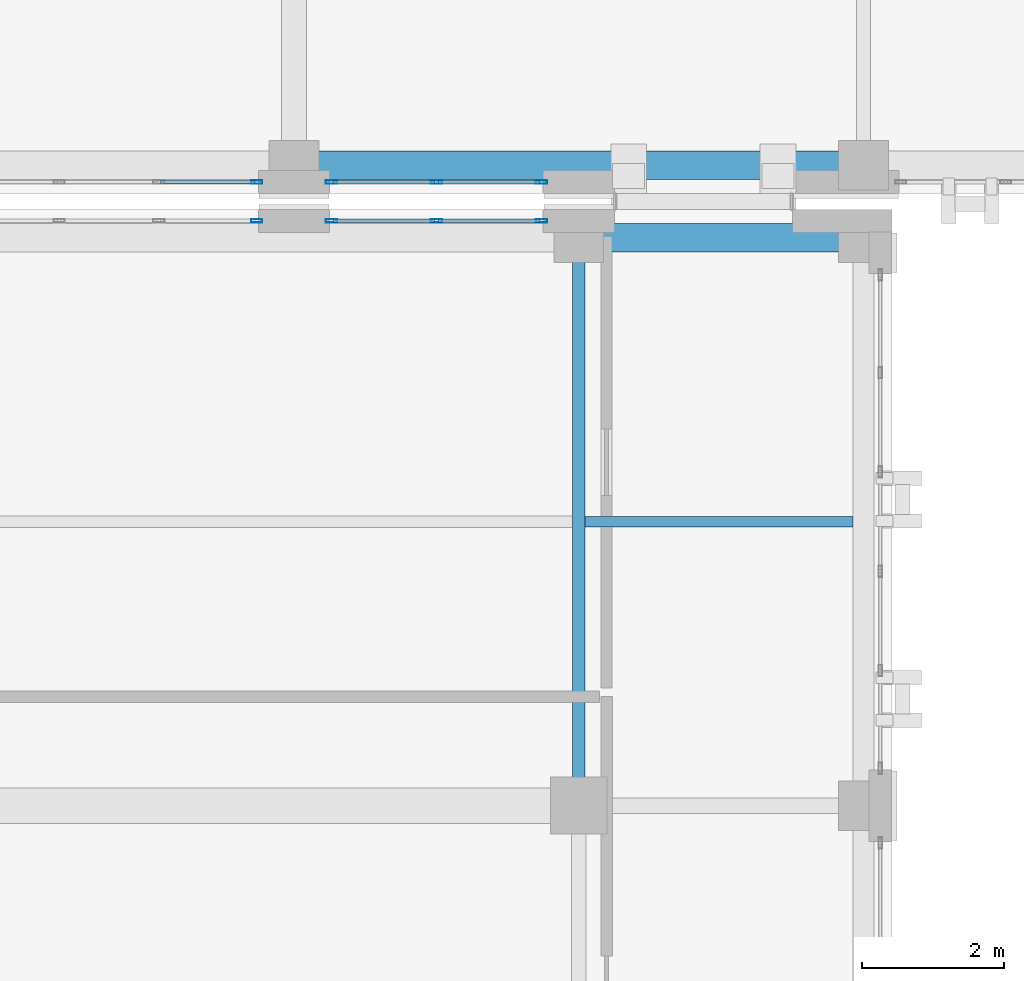
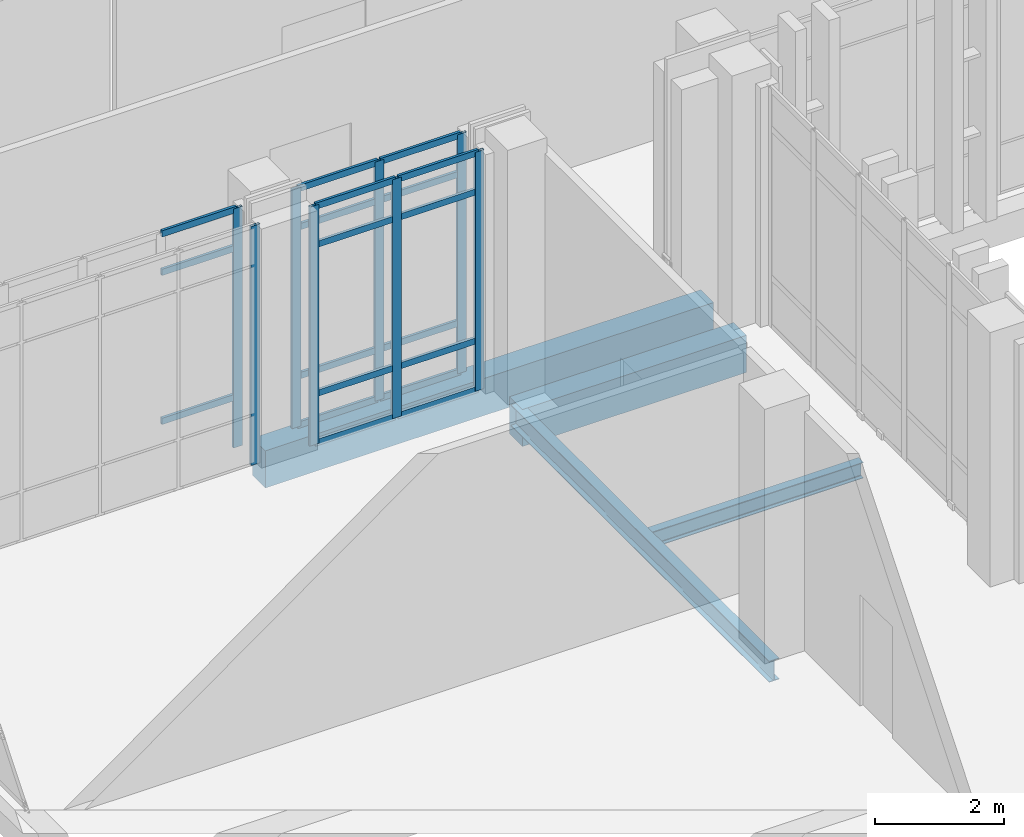
# One storey, part 79 of 189: 27 members, 4 beams, 4 elements without a shape of their own.
"""IFC4 building model written with IfcOpenShell, lengths in metres."""

from ifc_helpers import new_model, si_unit, direction, frame, origin, origin_2d, place, context, subcontext, project, spatial, rectangle, hollow_rectangle, i_section, extrude, material, layer, layer_set, material_profile, profile_set, type_object, element, aggregate, save


model = new_model("IFC4")

# Units and contexts
model_context = context("Model", 3, precision=1e-05, world=origin(), true_north=direction((0.0, 1.0)))
body_context = subcontext(model_context, "Body", "Model", "MODEL_VIEW")
ifc_project = project(units=[si_unit("LENGTHUNIT", "METRE"), si_unit("AREAUNIT", "SQUARE_METRE"), si_unit("VOLUMEUNIT", "CUBIC_METRE"), si_unit("PLANEANGLEUNIT", "RADIAN"), si_unit("MASSUNIT", "GRAM", prefix="KILO")], contexts=[model_context])

# Site, building, storey
site_placement = place(None, origin())
site = spatial("IfcSite", under=ifc_project, at=site_placement, CompositionType="ELEMENT")
building_placement = place(site_placement, origin())
building = spatial("IfcBuilding", under=site, at=building_placement, Name="Qalavern Law Courts", CompositionType="ELEMENT")
storey_placement = place(building_placement, frame((0.0, 0.0, 5.39990234375)))
storey = spatial("IfcBuildingStorey", under=building, at=storey_placement, Name="L01", CompositionType="ELEMENT", Elevation=5.39990234375)

# Curtain wall, members
ifc_material_1 = material(Name="Anodised aluminium and insulated glazing", Category="aluminium")
ifc_layer_1 = layer(ifc_material_1, 0.172119140625)
ifc_layer_set_1 = layer_set([ifc_layer_1], Name="Anodised aluminium and insulated glazing")
curtain_wall_type_1 = type_object("IfcCurtainWallType", Name="ENV-CW-COURT", PredefinedType="USERDEFINED", material=ifc_layer_set_1)
curtain_wall_1_placement = place(storey_placement, origin())
curtain_wall_1 = element("IfcCurtainWall", 1, at=curtain_wall_1_placement, inside=storey, type_object=curtain_wall_type_1, Name="V3 unitised curtain wall L01 north 1", ObjectType="UNITISED CURTAIN WALL", PredefinedType="USERDEFINED")
ifc_material_2 = material(Name="Anodised aluminium", Category="aluminium")
ifc_material_profile_1 = material_profile(ifc_material_2, hollow_rectangle(XDim=0.048095703125, YDim=0.159912109375, WallThickness=0.00390625, at=origin_2d()), Name="ALU MULLION 48x160")
ifc_profile_set_1 = profile_set([ifc_material_profile_1], Name="Anodised aluminium")
member_type_1 = type_object("IfcMemberType", Name="ENV-CWM-48x160", PredefinedType="MULLION", material=ifc_profile_set_1)
member_1_placement = place(storey_placement, frame((13.8759765625, 95.8173828125, 0.0), z_axis=(0.0, 0.0, 1.0), x_axis=(0.0, -1.0, 0.0)))
member_1 = element("IfcMember", 2, at=member_1_placement, type_object=member_type_1, Name="CW-03 mullion 1", PredefinedType="MULLION", context=body_context, shape_type="SweptSolid", body=[
    extrude(hollow_rectangle(XDim=0.048095703125, YDim=0.159912109375, WallThickness=0.00390625, at=origin_2d()), origin(), (0.0, 0.0, 1.0), 4.510009765625),
])
member_2_placement = place(storey_placement, frame((12.39990234375, 95.8173828125, 0.0), z_axis=(0.0, 0.0, 1.0), x_axis=(0.0, -1.0, 0.0)))
member_2 = element("IfcMember", 3, at=member_2_placement, type_object=member_type_1, Name="CW-03 mullion 2", PredefinedType="MULLION", context=body_context, shape_type="SweptSolid", body=[
    extrude(hollow_rectangle(XDim=0.048095703125, YDim=0.159912109375, WallThickness=0.00390625, at=origin_2d()), origin(), (0.0, 0.0, 1.0), 4.510009765625),
])
member_3_placement = place(storey_placement, frame((10.924072265625, 95.8173828125, 0.0), z_axis=(0.0, 0.0, 1.0), x_axis=(0.0, -1.0, 0.0)))
member_3 = element("IfcMember", 4, at=member_3_placement, type_object=member_type_1, Name="CW-03 mullion 3", PredefinedType="MULLION", context=body_context, shape_type="SweptSolid", body=[
    extrude(hollow_rectangle(XDim=0.048095703125, YDim=0.159912109375, WallThickness=0.00390625, at=origin_2d()), origin(), (0.0, 0.0, 1.0), 4.510009765625),
])

# Curtain wall, member
curtain_wall_2_placement = place(storey_placement, origin())
curtain_wall_2 = element("IfcCurtainWall", 5, at=curtain_wall_2_placement, inside=storey, type_object=curtain_wall_type_1, Name="V3 unitised curtain wall L01 north 2", ObjectType="UNITISED CURTAIN WALL", PredefinedType="USERDEFINED")
member_4_placement = place(storey_placement, frame((9.8759765625, 95.8173828125, 0.0), z_axis=(0.0, 0.0, 1.0), x_axis=(0.0, -1.0, 0.0)))
member_4 = element("IfcMember", 6, at=member_4_placement, type_object=member_type_1, Name="CW-03 mullion 1", PredefinedType="MULLION", context=body_context, shape_type="SweptSolid", body=[
    extrude(hollow_rectangle(XDim=0.048095703125, YDim=0.159912109375, WallThickness=0.00390625, at=origin_2d()), origin(), (0.0, 0.0, 1.0), 4.510009765625),
])
aggregate(curtain_wall_2, [member_4])

ifc_layer_2 = layer(ifc_material_1, 0.166015625)
ifc_layer_set_2 = layer_set([ifc_layer_2], Name="Anodised aluminium and insulated glazing")
curtain_wall_type_2 = type_object("IfcCurtainWallType", Name="ENV-CW-LIB", PredefinedType="USERDEFINED", material=ifc_layer_set_2)
curtain_wall_3_placement = place(storey_placement, origin())
curtain_wall_3 = element("IfcCurtainWall", 7, at=curtain_wall_3_placement, inside=storey, type_object=curtain_wall_type_2, Name="V5 unitised curtain wall L01 south 1", ObjectType="UNITISED CURTAIN WALL", PredefinedType="USERDEFINED")
member_5_placement = place(storey_placement, frame((9.8759765625, 96.362548828125, 0.0), z_axis=(0.0, 0.0, 1.0), x_axis=(0.0, 1.0, 0.0)))
member_5 = element("IfcMember", 8, at=member_5_placement, type_object=member_type_1, Name="CW-05 mullion 6", PredefinedType="MULLION", context=body_context, shape_type="SweptSolid", body=[
    extrude(hollow_rectangle(XDim=0.048095703125, YDim=0.159912109375, WallThickness=0.00390625, at=origin_2d()), origin(), (0.0, 0.0, 1.0), 4.510009765625),
])

# Curtain wall, members
curtain_wall_4_placement = place(storey_placement, origin())
curtain_wall_4 = element("IfcCurtainWall", 9, at=curtain_wall_4_placement, inside=storey, type_object=curtain_wall_type_2, Name="V5 unitised curtain wall L01 south 2", ObjectType="UNITISED CURTAIN WALL", PredefinedType="USERDEFINED")
member_6_placement = place(storey_placement, frame((10.924072265625, 96.362548828125, 0.0), z_axis=(0.0, 0.0, 1.0), x_axis=(0.0, 1.0, 0.0)))
member_6 = element("IfcMember", 10, at=member_6_placement, type_object=member_type_1, Name="CW-05 mullion 1", PredefinedType="MULLION", context=body_context, shape_type="SweptSolid", body=[
    extrude(hollow_rectangle(XDim=0.048095703125, YDim=0.159912109375, WallThickness=0.00390625, at=origin_2d()), origin(), (0.0, 0.0, 1.0), 4.510009765625),
])
member_7_placement = place(storey_placement, frame((12.39990234375, 96.362548828125, 0.0), z_axis=(0.0, 0.0, 1.0), x_axis=(0.0, 1.0, 0.0)))
member_7 = element("IfcMember", 11, at=member_7_placement, type_object=member_type_1, Name="CW-05 mullion 2", PredefinedType="MULLION", context=body_context, shape_type="SweptSolid", body=[
    extrude(hollow_rectangle(XDim=0.048095703125, YDim=0.159912109375, WallThickness=0.00390625, at=origin_2d()), origin(), (0.0, 0.0, 1.0), 4.510009765625),
])
member_8_placement = place(storey_placement, frame((13.8759765625, 96.362548828125, 0.0), z_axis=(0.0, 0.0, 1.0), x_axis=(0.0, 1.0, 0.0)))
member_8 = element("IfcMember", 12, at=member_8_placement, type_object=member_type_1, Name="CW-05 mullion 3", PredefinedType="MULLION", context=body_context, shape_type="SweptSolid", body=[
    extrude(hollow_rectangle(XDim=0.048095703125, YDim=0.159912109375, WallThickness=0.00390625, at=origin_2d()), origin(), (0.0, 0.0, 1.0), 4.510009765625),
])

# Member
ifc_material_profile_2 = material_profile(ifc_material_2, hollow_rectangle(XDim=0.048095703125, YDim=0.1201171875, WallThickness=0.00390625, at=origin_2d()), Name="ALU TRANSOM 48x120")
ifc_profile_set_2 = profile_set([ifc_material_profile_2], Name="Anodised aluminium")
member_type_2 = type_object("IfcMemberType", Name="ENV-CWT-48x120", PredefinedType="USERDEFINED", material=ifc_profile_set_2)
member_9_placement = place(storey_placement, frame((13.85205078125, 95.8173828125, 0.024169921875), z_axis=(-1.0, 0.0, 0.0), x_axis=(0.0, -1.0, 0.0)))
member_9 = element("IfcMember", 13, at=member_9_placement, type_object=member_type_2, Name="CW-03 transom 1.1", ObjectType="TRANSOM", PredefinedType="USERDEFINED", context=body_context, shape_type="SweptSolid", body=[
    extrude(hollow_rectangle(XDim=0.048095703125, YDim=0.1201171875, WallThickness=0.00390625, at=origin_2d()), origin(), (0.0, 0.0, 1.0), 1.427978515625),
])

member_10_placement = place(storey_placement, frame((13.85205078125, 95.8173828125, 0.9501953125), z_axis=(-1.0, 0.0, 0.0), x_axis=(0.0, -1.0, 0.0)))
member_10 = element("IfcMember", 14, at=member_10_placement, type_object=member_type_2, Name="CW-03 transom 1.2", ObjectType="TRANSOM", PredefinedType="USERDEFINED", context=body_context, shape_type="SweptSolid", body=[
    extrude(hollow_rectangle(XDim=0.048095703125, YDim=0.1201171875, WallThickness=0.00390625, at=origin_2d()), origin(), (0.0, 0.0, 1.0), 1.427978515625),
])

member_11_placement = place(storey_placement, frame((13.85205078125, 95.8173828125, 3.760009765625), z_axis=(-1.0, 0.0, 0.0), x_axis=(0.0, -1.0, 0.0)))
member_11 = element("IfcMember", 15, at=member_11_placement, type_object=member_type_2, Name="CW-03 transom 1.3", ObjectType="TRANSOM", PredefinedType="USERDEFINED", context=body_context, shape_type="SweptSolid", body=[
    extrude(hollow_rectangle(XDim=0.048095703125, YDim=0.1201171875, WallThickness=0.00390625, at=origin_2d()), origin(), (0.0, 0.0, 1.0), 1.427978515625),
])

member_12_placement = place(storey_placement, frame((13.85205078125, 95.8173828125, 4.486083984375), z_axis=(-1.0, 0.0, 0.0), x_axis=(0.0, -1.0, 0.0)))
member_12 = element("IfcMember", 16, at=member_12_placement, type_object=member_type_2, Name="CW-03 transom 1.4", ObjectType="TRANSOM", PredefinedType="USERDEFINED", context=body_context, shape_type="SweptSolid", body=[
    extrude(hollow_rectangle(XDim=0.048095703125, YDim=0.1201171875, WallThickness=0.00390625, at=origin_2d()), origin(), (0.0, 0.0, 1.0), 1.427978515625),
])

member_13_placement = place(storey_placement, frame((12.3759765625, 95.8173828125, 0.024169921875), z_axis=(-1.0, 0.0, 0.0), x_axis=(0.0, -1.0, 0.0)))
member_13 = element("IfcMember", 17, at=member_13_placement, type_object=member_type_2, Name="CW-03 transom 2.1", ObjectType="TRANSOM", PredefinedType="USERDEFINED", context=body_context, shape_type="SweptSolid", body=[
    extrude(hollow_rectangle(XDim=0.048095703125, YDim=0.1201171875, WallThickness=0.00390625, at=origin_2d()), origin(), (0.0, 0.0, 1.0), 1.427978515625),
])

member_14_placement = place(storey_placement, frame((12.3759765625, 95.8173828125, 0.9501953125), z_axis=(-1.0, 0.0, 0.0), x_axis=(0.0, -1.0, 0.0)))
member_14 = element("IfcMember", 18, at=member_14_placement, type_object=member_type_2, Name="CW-03 transom 2.2", ObjectType="TRANSOM", PredefinedType="USERDEFINED", context=body_context, shape_type="SweptSolid", body=[
    extrude(hollow_rectangle(XDim=0.048095703125, YDim=0.1201171875, WallThickness=0.00390625, at=origin_2d()), origin(), (0.0, 0.0, 1.0), 1.427978515625),
])

member_15_placement = place(storey_placement, frame((12.3759765625, 95.8173828125, 3.760009765625), z_axis=(-1.0, 0.0, 0.0), x_axis=(0.0, -1.0, 0.0)))
member_15 = element("IfcMember", 19, at=member_15_placement, type_object=member_type_2, Name="CW-03 transom 2.3", ObjectType="TRANSOM", PredefinedType="USERDEFINED", context=body_context, shape_type="SweptSolid", body=[
    extrude(hollow_rectangle(XDim=0.048095703125, YDim=0.1201171875, WallThickness=0.00390625, at=origin_2d()), origin(), (0.0, 0.0, 1.0), 1.427978515625),
])

member_16_placement = place(storey_placement, frame((12.3759765625, 95.8173828125, 4.486083984375), z_axis=(-1.0, 0.0, 0.0), x_axis=(0.0, -1.0, 0.0)))
member_16 = element("IfcMember", 20, at=member_16_placement, type_object=member_type_2, Name="CW-03 transom 2.4", ObjectType="TRANSOM", PredefinedType="USERDEFINED", context=body_context, shape_type="SweptSolid", body=[
    extrude(hollow_rectangle(XDim=0.048095703125, YDim=0.1201171875, WallThickness=0.00390625, at=origin_2d()), origin(), (0.0, 0.0, 1.0), 1.427978515625),
])

aggregate(curtain_wall_1, [member_1, member_2, member_3, member_9, member_10, member_11, member_12, member_13, member_14, member_15, member_16])

member_17_placement = place(storey_placement, frame((8.52392578125, 96.362548828125, 0.9501953125), z_axis=(1.0, 0.0, 0.0), x_axis=(0.0, 1.0, 0.0)))
member_17 = element("IfcMember", 21, at=member_17_placement, type_object=member_type_2, Name="CW-05 transom 5.2", ObjectType="TRANSOM", PredefinedType="USERDEFINED", context=body_context, shape_type="SweptSolid", body=[
    extrude(hollow_rectangle(XDim=0.048095703125, YDim=0.1201171875, WallThickness=0.00390625, at=origin_2d()), origin(), (0.0, 0.0, 1.0), 1.328125),
])

member_18_placement = place(storey_placement, frame((8.52392578125, 96.362548828125, 3.760009765625), z_axis=(1.0, 0.0, 0.0), x_axis=(0.0, 1.0, 0.0)))
member_18 = element("IfcMember", 22, at=member_18_placement, type_object=member_type_2, Name="CW-05 transom 5.3", ObjectType="TRANSOM", PredefinedType="USERDEFINED", context=body_context, shape_type="SweptSolid", body=[
    extrude(hollow_rectangle(XDim=0.048095703125, YDim=0.1201171875, WallThickness=0.00390625, at=origin_2d()), origin(), (0.0, 0.0, 1.0), 1.328125),
])

member_19_placement = place(storey_placement, frame((8.52392578125, 96.362548828125, 4.486083984375), z_axis=(1.0, 0.0, 0.0), x_axis=(0.0, 1.0, 0.0)))
member_19 = element("IfcMember", 23, at=member_19_placement, type_object=member_type_2, Name="CW-05 transom 5.4", ObjectType="TRANSOM", PredefinedType="USERDEFINED", context=body_context, shape_type="SweptSolid", body=[
    extrude(hollow_rectangle(XDim=0.048095703125, YDim=0.1201171875, WallThickness=0.00390625, at=origin_2d()), origin(), (0.0, 0.0, 1.0), 1.328125),
])

aggregate(curtain_wall_3, [member_5, member_17, member_18, member_19])

member_20_placement = place(storey_placement, frame((10.947998046875, 96.362548828125, 0.024169921875), z_axis=(1.0, 0.0, 0.0), x_axis=(0.0, 1.0, 0.0)))
member_20 = element("IfcMember", 24, at=member_20_placement, type_object=member_type_2, Name="CW-05 transom 1.1", ObjectType="TRANSOM", PredefinedType="USERDEFINED", context=body_context, shape_type="SweptSolid", body=[
    extrude(hollow_rectangle(XDim=0.048095703125, YDim=0.1201171875, WallThickness=0.00390625, at=origin_2d()), origin(), (0.0, 0.0, 1.0), 1.427978515625),
])

member_21_placement = place(storey_placement, frame((10.947998046875, 96.362548828125, 0.9501953125), z_axis=(1.0, 0.0, 0.0), x_axis=(0.0, 1.0, 0.0)))
member_21 = element("IfcMember", 25, at=member_21_placement, type_object=member_type_2, Name="CW-05 transom 1.2", ObjectType="TRANSOM", PredefinedType="USERDEFINED", context=body_context, shape_type="SweptSolid", body=[
    extrude(hollow_rectangle(XDim=0.048095703125, YDim=0.1201171875, WallThickness=0.00390625, at=origin_2d()), origin(), (0.0, 0.0, 1.0), 1.427978515625),
])

member_22_placement = place(storey_placement, frame((10.947998046875, 96.362548828125, 3.760009765625), z_axis=(1.0, 0.0, 0.0), x_axis=(0.0, 1.0, 0.0)))
member_22 = element("IfcMember", 26, at=member_22_placement, type_object=member_type_2, Name="CW-05 transom 1.3", ObjectType="TRANSOM", PredefinedType="USERDEFINED", context=body_context, shape_type="SweptSolid", body=[
    extrude(hollow_rectangle(XDim=0.048095703125, YDim=0.1201171875, WallThickness=0.00390625, at=origin_2d()), origin(), (0.0, 0.0, 1.0), 1.427978515625),
])

member_23_placement = place(storey_placement, frame((10.947998046875, 96.362548828125, 4.486083984375), z_axis=(1.0, 0.0, 0.0), x_axis=(0.0, 1.0, 0.0)))
member_23 = element("IfcMember", 27, at=member_23_placement, type_object=member_type_2, Name="CW-05 transom 1.4", ObjectType="TRANSOM", PredefinedType="USERDEFINED", context=body_context, shape_type="SweptSolid", body=[
    extrude(hollow_rectangle(XDim=0.048095703125, YDim=0.1201171875, WallThickness=0.00390625, at=origin_2d()), origin(), (0.0, 0.0, 1.0), 1.427978515625),
])

member_24_placement = place(storey_placement, frame((12.424072265625, 96.362548828125, 0.024169921875), z_axis=(1.0, 0.0, 0.0), x_axis=(0.0, 1.0, 0.0)))
member_24 = element("IfcMember", 28, at=member_24_placement, type_object=member_type_2, Name="CW-05 transom 2.1", ObjectType="TRANSOM", PredefinedType="USERDEFINED", context=body_context, shape_type="SweptSolid", body=[
    extrude(hollow_rectangle(XDim=0.048095703125, YDim=0.1201171875, WallThickness=0.00390625, at=origin_2d()), origin(), (0.0, 0.0, 1.0), 1.427978515625),
])

member_25_placement = place(storey_placement, frame((12.424072265625, 96.362548828125, 0.9501953125), z_axis=(1.0, 0.0, 0.0), x_axis=(0.0, 1.0, 0.0)))
member_25 = element("IfcMember", 29, at=member_25_placement, type_object=member_type_2, Name="CW-05 transom 2.2", ObjectType="TRANSOM", PredefinedType="USERDEFINED", context=body_context, shape_type="SweptSolid", body=[
    extrude(hollow_rectangle(XDim=0.048095703125, YDim=0.1201171875, WallThickness=0.00390625, at=origin_2d()), origin(), (0.0, 0.0, 1.0), 1.427978515625),
])

member_26_placement = place(storey_placement, frame((12.424072265625, 96.362548828125, 3.760009765625), z_axis=(1.0, 0.0, 0.0), x_axis=(0.0, 1.0, 0.0)))
member_26 = element("IfcMember", 30, at=member_26_placement, type_object=member_type_2, Name="CW-05 transom 2.3", ObjectType="TRANSOM", PredefinedType="USERDEFINED", context=body_context, shape_type="SweptSolid", body=[
    extrude(hollow_rectangle(XDim=0.048095703125, YDim=0.1201171875, WallThickness=0.00390625, at=origin_2d()), origin(), (0.0, 0.0, 1.0), 1.427978515625),
])

member_27_placement = place(storey_placement, frame((12.424072265625, 96.362548828125, 4.486083984375), z_axis=(1.0, 0.0, 0.0), x_axis=(0.0, 1.0, 0.0)))
member_27 = element("IfcMember", 31, at=member_27_placement, type_object=member_type_2, Name="CW-05 transom 2.4", ObjectType="TRANSOM", PredefinedType="USERDEFINED", context=body_context, shape_type="SweptSolid", body=[
    extrude(hollow_rectangle(XDim=0.048095703125, YDim=0.1201171875, WallThickness=0.00390625, at=origin_2d()), origin(), (0.0, 0.0, 1.0), 1.427978515625),
])

aggregate(curtain_wall_4, [member_6, member_7, member_8, member_20, member_21, member_22, member_23, member_24, member_25, member_26, member_27])

# Beams
ifc_material_3 = material(Name="Steel S355", Category="steel")
ifc_material_profile_3 = material_profile(ifc_material_3, i_section(OverallWidth=0.179931640625, OverallDepth=0.39990234375, WebThickness=0.008544921875, FlangeThickness=0.013427734375, FilletRadius=0.02099609375, at=origin_2d()), Name="IPE 400")
ifc_profile_set_3 = profile_set([ifc_material_profile_3], Name="Steel S355")
beam_type_1 = type_object("IfcBeamType", Name="STR-BM-IPE400", PredefinedType="BEAM", material=ifc_profile_set_3)
beam_1_placement = place(storey_placement, frame((14.39990234375, 87.60009765625, -0.5), z_axis=(0.0, 1.0, 0.0), x_axis=(-1.0, 0.0, 0.0)))
element("IfcBeam", 32, at=beam_1_placement, inside=storey, type_object=beam_type_1, Name="V3 Y-beam 2-7 L01", PredefinedType="BEAM", context=body_context, shape_type="SweptSolid", body=[
    extrude(i_section(OverallWidth=0.179931640625, OverallDepth=0.39990234375, WebThickness=0.008544921875, FlangeThickness=0.013427734375, FilletRadius=0.02099609375, at=origin_2d()), origin(), (0.0, 0.0, 1.0), 7.97998046875),
])
ifc_material_profile_4 = material_profile(ifc_material_3, i_section(OverallWidth=0.14990234375, OverallDepth=0.300048828125, WebThickness=0.007080078125, FlangeThickness=0.0107421875, FilletRadius=0.014892578125, at=origin_2d()), Name="IPE 300")
ifc_profile_set_4 = profile_set([ifc_material_profile_4], Name="Steel S355")
beam_type_2 = type_object("IfcBeamType", Name="STR-JST-IPE300", PredefinedType="JOIST", material=ifc_profile_set_4)
beam_2_placement = place(storey_placement, frame((14.488037109375, 91.590087890625, -0.449951171875), z_axis=(1.0, 0.0, 0.0), x_axis=(0.0, 1.0, 0.0)))
element("IfcBeam", 33, at=beam_2_placement, inside=storey, type_object=beam_type_2, Name="V3 secondary joist 2.7.1 L01", PredefinedType="JOIST", context=body_context, shape_type="SweptSolid", body=[
    extrude(i_section(OverallWidth=0.14990234375, OverallDepth=0.300048828125, WebThickness=0.007080078125, FlangeThickness=0.0107421875, FilletRadius=0.014892578125, at=origin_2d()), origin(), (0.0, 0.0, 1.0), 3.763916015625),
])
ifc_material_4 = material(Name="Concrete C40/50", Category="concrete")
ifc_material_profile_5 = material_profile(ifc_material_4, rectangle(XDim=0.39990234375, YDim=0.699951171875, at=origin_2d()), Name="RC 400x700")
ifc_profile_set_5 = profile_set([ifc_material_profile_5], Name="Concrete C40/50")
beam_type_3 = type_object("IfcBeamType", Name="STR-SP-RC400x700", PredefinedType="SPANDREL", material=ifc_profile_set_5)
beam_3_placement = place(storey_placement, frame((14.39990234375, 95.580078125, -0.64990234375), z_axis=(1.0, 0.0, 0.0), x_axis=(0.0, 1.0, 0.0)))
element("IfcBeam", 34, at=beam_3_placement, inside=storey, type_object=beam_type_3, Name="V3 X-beam 8-2 L01", PredefinedType="SPANDREL", context=body_context, shape_type="SweptSolid", body=[
    extrude(rectangle(XDim=0.39990234375, YDim=0.699951171875, at=origin_2d()), origin(), (0.0, 0.0, 1.0), 4.0),
])
beam_4_placement = place(storey_placement, frame((10.39990234375, 96.60009765625, -0.64990234375), z_axis=(1.0, 0.0, 0.0), x_axis=(0.0, 1.0, 0.0)))
element("IfcBeam", 35, at=beam_4_placement, inside=storey, type_object=beam_type_3, Name="V5 X-beam 1-2 L01", PredefinedType="SPANDREL", context=body_context, shape_type="SweptSolid", body=[
    extrude(rectangle(XDim=0.39990234375, YDim=0.699951171875, at=origin_2d()), origin(), (0.0, 0.0, 1.0), 8.0),
])

save(model, "model.ifc")
